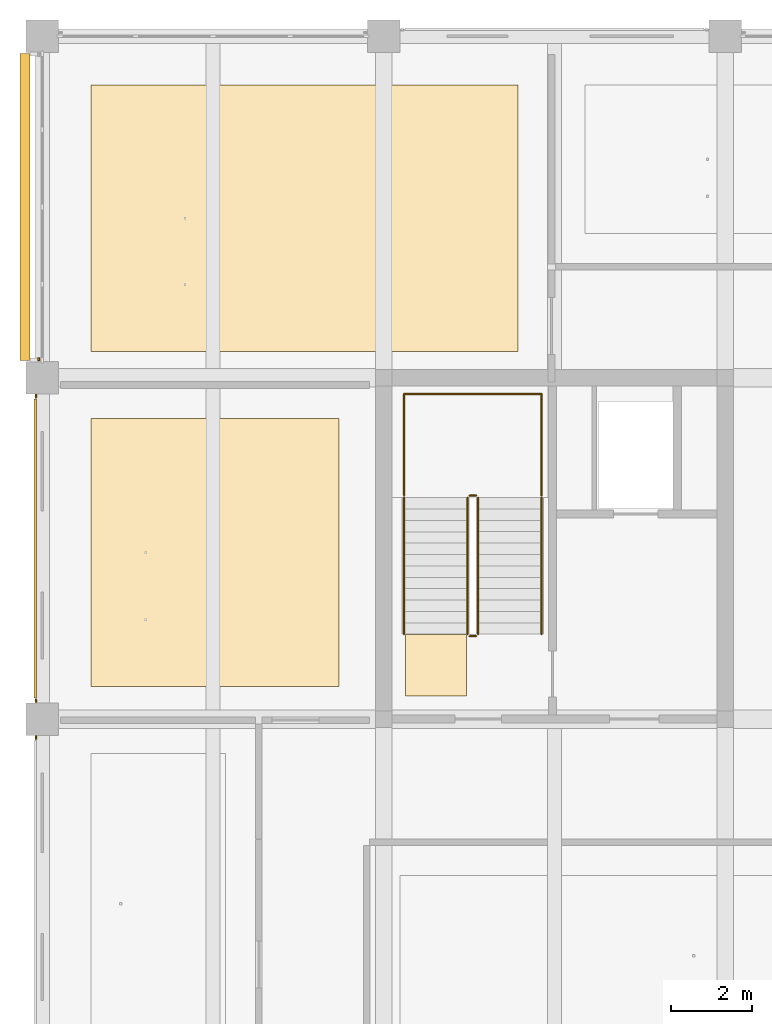
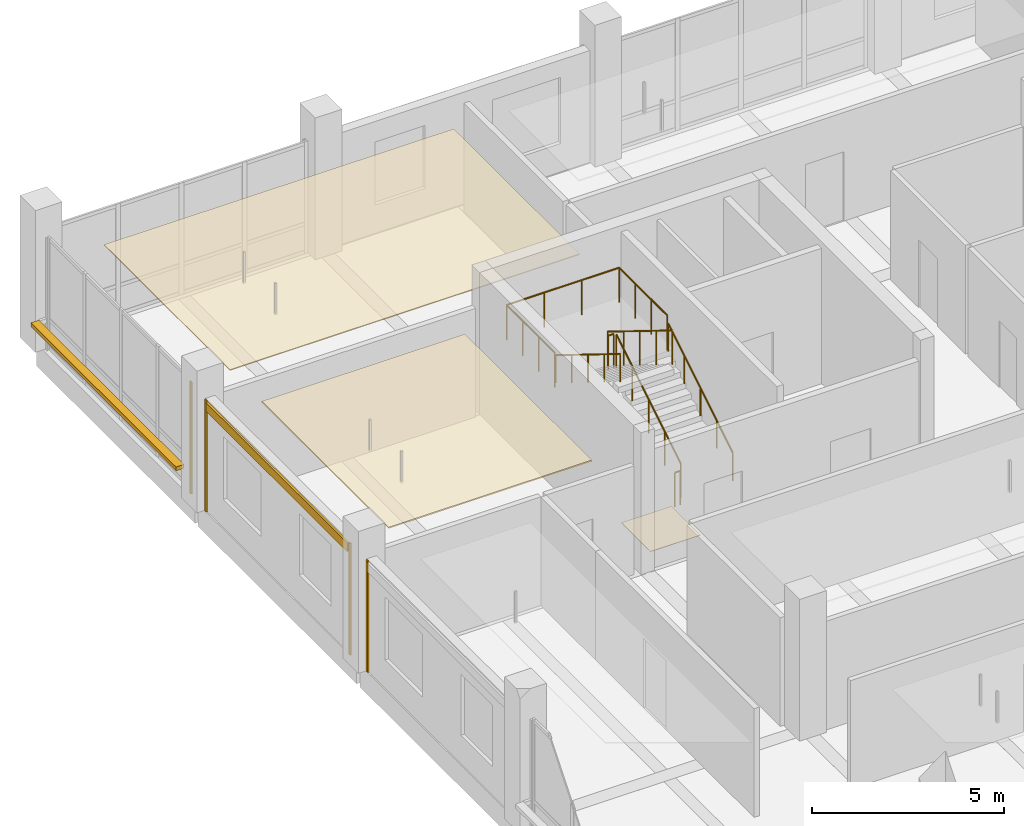
# One storey, part 26 of 34: 8 coverings, 7 railings, 1 shading device.
"""IFC4 building model written with IfcOpenShell, lengths in metres."""

import ifcopenshell
import ifcopenshell.guid

model = None  # the IFC model being written
_history = None  # IfcOwnerHistory: only IFC2X3 demands one
_inside = {}  # id of a spatial element -> (the spatial element, [elements in it])
_under = {}  # id of a project, library or spatial element -> (it, [spatial elements below it])
_declared = {}  # id of a project -> (the project, [libraries it declares])
_typed = {}  # id of a type object -> (the type object, [elements of that type])
_made_of = {}  # id of a material, layer set ... -> (it, [elements and type objects made of it])


def new_model(schema):
    """Start an empty IFC model of exactly this schema.

    Asked for "IFC4X3", IfcOpenShell would pick the latest addendum, in which some entities
    have other attributes; the version numbers below select the first issue.
    IFC2X3 requires an IfcOwnerHistory on every rooted entity: one is made here for all.
    """
    global model, _history
    if schema == "IFC4X3":
        model = ifcopenshell.file(schema_version=(4, 3, 0, 0))
    else:
        model = ifcopenshell.file(schema=schema)
    _inside.clear()
    _under.clear()
    _declared.clear()
    _typed.clear()
    _made_of.clear()
    _history = None
    if model.schema == "IFC2X3":
        org = make("IfcOrganization", Name="unknown")
        user = make(
            "IfcPersonAndOrganization",
            ThePerson=make("IfcPerson", FamilyName="unknown"),
            TheOrganization=org,
        )
        app = make(
            "IfcApplication",
            ApplicationDeveloper=org,
            Version="unknown",
            ApplicationFullName="unknown",
            ApplicationIdentifier="unknown",
        )
        _history = make(
            "IfcOwnerHistory",
            OwningUser=user,
            OwningApplication=app,
            ChangeAction="ADDED",
            CreationDate=0,
        )
    return model


def make(cls, **values):
    """One entity of the class cls with the attributes given. An attribute that is None is left unset."""
    return model.create_entity(
        cls, **{name: value for name, value in values.items() if value is not None}
    )


def rooted(cls, **values):
    """An entity with a GlobalId (a new one), such as an element, a storey or a relation."""
    return make(cls, GlobalId=ifcopenshell.guid.new(), OwnerHistory=_history, **values)


def si_unit(unit_type, name, prefix=None):
    """IfcSIUnit, for example si_unit("LENGTHUNIT", "METRE", prefix="MILLI")."""
    return make("IfcSIUnit", UnitType=unit_type, Prefix=prefix, Name=name)


def assignment(units):
    """IfcUnitAssignment: the units of a project."""
    return None if units is None else make("IfcUnitAssignment", Units=units)


def point(xyz):
    """IfcCartesianPoint."""
    return None if xyz is None else make("IfcCartesianPoint", Coordinates=xyz)


def direction(xyz):
    """IfcDirection."""
    return None if xyz is None else make("IfcDirection", DirectionRatios=xyz)


def frame(location, z_axis=None, x_axis=None):
    """IfcAxis2Placement3D, a coordinate frame: its origin and axes. An axis left out is left unset."""
    return make(
        "IfcAxis2Placement3D",
        Location=point(location),
        Axis=direction(z_axis),
        RefDirection=direction(x_axis),
    )


def frame_2d(location, x_axis=None):
    """IfcAxis2Placement2D, a coordinate frame in the plane: its origin and x axis."""
    return make(
        "IfcAxis2Placement2D", Location=point(location), RefDirection=direction(x_axis)
    )


def origin():
    """The frame at (0, 0, 0) with its axes left unset."""
    return frame((0.0, 0.0, 0.0))


def origin_2d():
    """The frame at (0, 0) in the plane with its x axis left unset."""
    return frame_2d((0.0, 0.0))


def place(relative_to, where):
    """IfcLocalPlacement: puts the frame where relative to a parent placement (None: the world)."""
    return make(
        "IfcLocalPlacement", PlacementRelTo=relative_to, RelativePlacement=where
    )


def context(
    kind, dimensions, precision=None, world=None, true_north=None, identifier=None
):
    """IfcGeometricRepresentationContext, for example the 3D "Model" context."""
    return make(
        "IfcGeometricRepresentationContext",
        ContextIdentifier=identifier,
        ContextType=kind,
        CoordinateSpaceDimension=dimensions,
        Precision=precision,
        WorldCoordinateSystem=world,
        TrueNorth=true_north,
    )


def subcontext(parent, identifier, kind, view, scale=None):
    """IfcGeometricRepresentationSubContext, for example "Body" below "Model"."""
    return make(
        "IfcGeometricRepresentationSubContext",
        ContextIdentifier=identifier,
        ContextType=kind,
        ParentContext=parent,
        TargetScale=scale,
        TargetView=view,
    )


def project(units=None, contexts=None):
    """IfcProject with its units and contexts."""
    return rooted(
        "IfcProject",
        Name="project",
        RepresentationContexts=contexts,
        UnitsInContext=assignment(units),
    )


def spatial(cls, under=None, at=None, **own):
    """A site, building, storey or space (cls), placed at a placement, below another one or the project."""
    s = rooted(cls, ObjectPlacement=at, **own)
    if under is not None:
        _under.setdefault(under.id(), (under, []))[1].append(s)
    return s


def polyline(points):
    """IfcPolyline through the points."""
    return make("IfcPolyline", Points=[point(p) for p in points])


def profile(cls, at=None, kind="AREA", **sizes):
    """A parametric profile (cls). Its sizes go by their IFC names, for example OverallWidth=200.0."""
    return make(cls, ProfileType=kind, Position=at, **sizes)


def rectangle(**sizes):
    """IfcRectangleProfileDef."""
    return profile("IfcRectangleProfileDef", **sizes)


def circle(**sizes):
    """IfcCircleProfileDef."""
    return profile("IfcCircleProfileDef", **sizes)


def outline(outer, holes=None, kind="AREA"):
    """IfcArbitraryClosedProfileDef: a profile drawn as a closed curve; with holes, ...WithVoids."""
    if holes is None:
        return make("IfcArbitraryClosedProfileDef", ProfileType=kind, OuterCurve=outer)
    return make(
        "IfcArbitraryProfileDefWithVoids",
        ProfileType=kind,
        OuterCurve=outer,
        InnerCurves=holes,
    )


def extrude(swept, where, along, depth):
    """IfcExtrudedAreaSolid: the profile swept, set in the frame where, extruded along a direction by depth."""
    return make(
        "IfcExtrudedAreaSolid",
        SweptArea=swept,
        Position=where,
        ExtrudedDirection=direction(along),
        Depth=depth,
    )


def shape(context_of_items, identifier, shape_type, items):
    """IfcShapeRepresentation: the items that make up one representation, for example the "Body"."""
    return make(
        "IfcShapeRepresentation",
        ContextOfItems=context_of_items,
        RepresentationIdentifier=identifier,
        RepresentationType=shape_type,
        Items=items,
    )


def material(Name=None, Category=None):
    """IfcMaterial."""
    return make("IfcMaterial", Name=Name, Category=Category)


def layer(
    of_material, thickness, ventilated=None, Name=None, Category=None, Priority=None
):
    """IfcMaterialLayer: one layer of a wall or slab, of a material (None: an air gap)."""
    return make(
        "IfcMaterialLayer",
        Material=of_material,
        LayerThickness=thickness,
        IsVentilated=ventilated,
        Name=Name,
        Category=Category,
        Priority=Priority,
    )


def layer_set(layers, Name=None):
    """IfcMaterialLayerSet."""
    return make("IfcMaterialLayerSet", MaterialLayers=layers, LayerSetName=Name)


def made_of(thing, what):
    """Note that an element or type object is made of a material, layer set ...; save() writes the relation."""
    if what is not None:
        _made_of.setdefault(what.id(), (what, []))[1].append(thing)
    return thing


def type_object(cls, material=None, **own):
    """A type object (cls), such as IfcWallType, which elements share."""
    return made_of(rooted(cls, **own), material)


def element(
    cls,
    number,
    at=None,
    inside=None,
    cuts=None,
    type_object=None,
    material=None,
    context=None,
    identifier="Body",
    shape_type=None,
    held_by="IfcProductDefinitionShape",
    body=None,
    shapes=None,
    **own,
):
    """One element of the class cls, such as IfcWall. Its Tag is "e" and its number.

    at: its placement. inside: the storey or other place that contains it. cuts: it is an
    opening in that element (IfcRelVoidsElement). A single representation is given by context,
    identifier, shape_type and body (its items); several are given by shapes. held_by: the class
    of the entity that holds the representations. save() writes the other relations.
    """
    e = rooted(cls, Tag="e%d" % number, ObjectPlacement=at, **own)
    if body is not None:
        shapes = [shape(context, identifier, shape_type, body)]
    if shapes is not None:
        e.Representation = make(held_by, Representations=shapes)
    if inside is not None:
        _inside.setdefault(inside.id(), (inside, []))[1].append(e)
    if cuts is not None:
        rooted(
            "IfcRelVoidsElement", RelatingBuildingElement=cuts, RelatedOpeningElement=e
        )
    if type_object is not None:
        _typed.setdefault(type_object.id(), (type_object, []))[1].append(e)
    return made_of(e, material)


def aggregate(whole, parts):
    """IfcRelAggregates: a whole, such as a stair, and the parts it consists of."""
    return rooted("IfcRelAggregates", RelatingObject=whole, RelatedObjects=parts)


def save(model, path):
    """Write the relations noted so far, then the file.

    IfcRelAggregates (storeys below a building ...), IfcRelContainedInSpatialStructure (elements
    in a storey), IfcRelDefinesByType, IfcRelAssociatesMaterial and IfcRelDeclares: one each for
    every whole, place, type object, material and project.
    """
    for whole, parts in _under.values():
        aggregate(whole, parts)
    for where, things in _inside.values():
        rooted(
            "IfcRelContainedInSpatialStructure",
            RelatedElements=things,
            RelatingStructure=where,
        )
    for kind, things in _typed.values():
        rooted("IfcRelDefinesByType", RelatedObjects=things, RelatingType=kind)
    for what, things in _made_of.values():
        rooted("IfcRelAssociatesMaterial", RelatedObjects=things, RelatingMaterial=what)
    for by, libraries in _declared.values():
        rooted("IfcRelDeclares", RelatingContext=by, RelatedDefinitions=libraries)
    model.write(path)


model = new_model("IFC4")

# Units and contexts
model_context = context("Model", 3, precision=1e-05, world=origin(), true_north=direction((0.0, 1.0)))
body_context = subcontext(model_context, "Body", "Model", "MODEL_VIEW")
ifc_project = project(units=[si_unit("LENGTHUNIT", "METRE"), si_unit("AREAUNIT", "SQUARE_METRE"), si_unit("VOLUMEUNIT", "CUBIC_METRE"), si_unit("PLANEANGLEUNIT", "RADIAN"), si_unit("MASSUNIT", "GRAM", prefix="KILO")], contexts=[model_context])

# Site, building, storey
site_placement = place(None, origin())
site = spatial("IfcSite", under=ifc_project, at=site_placement, CompositionType="ELEMENT")
building_placement = place(site_placement, origin())
building = spatial("IfcBuilding", under=site, at=building_placement, Name="Telukmera Botanical Conservatory", CompositionType="ELEMENT")
storey_placement = place(building_placement, frame((0.0, 0.0, 37.5)))
storey = spatial("IfcBuildingStorey", under=building, at=storey_placement, Name="L08", CompositionType="ELEMENT", Elevation=37.5)

# Coverings
ifc_material_1 = material(Name="Mineral fibre acoustic ceiling")
ifc_layer_1 = layer(ifc_material_1, 0.030029296875)
ifc_layer_set_1 = layer_set([ifc_layer_1], Name="Mineral fibre acoustic ceiling")
covering_type_1 = type_object("IfcCoveringType", Name="COV-CEIL-30", PredefinedType="CEILING", material=ifc_layer_set_1)
covering_1_placement = place(storey_placement, frame((0.0, 0.0, 3.320068359375)))
element("IfcCovering", 1, at=covering_1_placement, inside=storey, type_object=covering_type_1, Name="L08 Plant Physiology Research Laboratory Suspended Acoustic Ceiling", PredefinedType="CEILING", context=body_context, shape_type="SweptSolid", body=[
    extrude(outline(polyline([(51.60009765625, 35.050048828125), (62.10009765625, 35.050048828125), (62.10009765625, 41.60009765625), (51.60009765625, 41.60009765625), (51.60009765625, 35.050048828125)])), origin(), (0.0, 0.0, 1.0), 0.030029296875),
])
ifc_material_2 = material(Name="Perforated gypsum acoustic ceiling")
ifc_layer_2 = layer(ifc_material_2, 0.0400390625)
ifc_layer_set_2 = layer_set([ifc_layer_2], Name="Perforated gypsum acoustic ceiling")
covering_type_2 = type_object("IfcCoveringType", Name="COV-CEIL-40", PredefinedType="CEILING", material=ifc_layer_set_2)
covering_2_placement = place(storey_placement, frame((0.0, 0.0, 3.31005859375)))
element("IfcCovering", 2, at=covering_2_placement, inside=storey, type_object=covering_type_2, Name="L08 Genomics Sequencing Laboratory Suspended Acoustic Ceiling", PredefinedType="CEILING", context=body_context, shape_type="SweptSolid", body=[
    extrude(outline(polyline([(51.60009765625, 26.800048828125), (57.699951171875, 26.800048828125), (57.699951171875, 33.39990234375), (51.60009765625, 33.39990234375), (51.60009765625, 26.800048828125)])), origin(), (0.0, 0.0, 1.0), 0.0400390625),
])
ifc_material_3 = material(Name="Honed granite non-slip flooring", Category="masonry")
ifc_layer_3 = layer(ifc_material_3, 0.011962890625)
ifc_layer_set_3 = layer_set([ifc_layer_3], Name="Honed granite non-slip flooring")
covering_type_3 = type_object("IfcCoveringType", Name="COV-FLR-12", PredefinedType="FLOORING", material=ifc_layer_set_3)
covering_3_placement = place(storey_placement, origin())
element("IfcCovering", 3, at=covering_3_placement, inside=storey, type_object=covering_type_3, Name="L08 ST1 Non-Slip Stair Landing Finish", PredefinedType="FLOORING", context=body_context, shape_type="SweptSolid", body=[
    extrude(outline(polyline([(60.830078125, 26.570068359375), (60.830078125, 28.0849609375), (59.330078125, 28.0849609375), (59.330078125, 26.570068359375), (60.830078125, 26.570068359375)])), origin(), (0.0, 0.0, 1.0), 0.011962890625),
])
ifc_material_4 = material(Name="Granite-faced precast concrete C40/50", Category="masonry")
ifc_layer_4 = layer(ifc_material_4, 0.0400390625)
ifc_layer_set_4 = layer_set([ifc_layer_4], Name="Granite-faced precast concrete C40/50")
covering_type_4 = type_object("IfcCoveringType", Name="Granite Precast Column Pier Reveal Casing", PredefinedType="CLADDING", material=ifc_layer_set_4)
for number, where, z_axis, x_axis, name in (
    (4, (50.239990234375, 25.548095703125, 0.0), (0.0, 0.0, 1.0), (0.0, 1.0, 0.0), "Granite Pier Reveal V4:L08:W2 R"),
    (5, (50.239990234375, 26.451904296875, 0.0), (0.0, 0.0, 1.0), (0.0, 1.0, 0.0), "Granite Pier Reveal V4:L08:W3 L"),
    (6, (50.239990234375, 33.947998046875, 0.0), (0.0, 0.0, 1.0), (0.0, 1.0, 0.0), "Granite Pier Reveal V4:L08:W3 R"),
    (7, (50.31005859375, 34.85205078125, 0.0), (0.0, 0.0, 1.0), (0.0, 1.0, 0.0), "Granite Pier Reveal V4:L08:W4 L"),
):
    element("IfcCovering", number, at=place(storey_placement, frame(where, z_axis=z_axis, x_axis=x_axis)), inside=storey, type_object=covering_type_4, Name=name, PredefinedType="CLADDING", context=body_context, shape_type="SweptSolid", body=[
        extrude(rectangle(XDim=0.080078125, YDim=0.0400390625, at=origin_2d()), origin(), (0.0, 0.0, 1.0), 3.550048828125),
    ])

# Shading device
ifc_material_5 = material(Name="Perforated terracotta-anodised aluminium 6063-T6", Category="masonry")
ifc_layer_5 = layer(ifc_material_5, 0.044921875)
ifc_layer_set_5 = layer_set([ifc_layer_5], Name="Perforated terracotta-anodised aluminium 6063-T6")
shading_device_type = type_object("IfcShadingDeviceType", Name="Perforated Terracotta Aluminium Monsoon Brise Soleil", PredefinedType="JALOUSIE", material=ifc_layer_set_5)
shading_device_placement = place(storey_placement, frame((49.969970703125, 38.60009765625, 0.889892578125), z_axis=(0.0, 0.0, 1.0), x_axis=(0.0, 1.0, 0.0)))
element("IfcShadingDevice", 8, at=shading_device_placement, inside=storey, type_object=shading_device_type, Name="Monsoon Shading BS01 V4:L08:W4", PredefinedType="JALOUSIE", context=body_context, shape_type="SweptSolid", body=[
    extrude(rectangle(XDim=7.555908203125, YDim=0.239990234375, at=origin_2d()), origin(), (0.0, 0.0, 1.0), 0.1201171875),
])

# Covering
ifc_material_6 = material(Name="Terracotta-faced precast concrete C40/50", Category="masonry")
ifc_layer_6 = layer(ifc_material_6, 0.06005859375)
ifc_layer_set_6 = layer_set([ifc_layer_6], Name="Terracotta-faced precast concrete C40/50")
covering_type_5 = type_object("IfcCoveringType", Name="Polychrome Terracotta Facade Band Cladding", PredefinedType="CLADDING", material=ifc_layer_set_6)
covering_4_placement = place(storey_placement, frame((50.22998046875, 30.199951171875, 3.22998046875), z_axis=(0.0, 0.0, 1.0), x_axis=(0.0, 1.0, 0.0)))
element("IfcCovering", 9, at=covering_4_placement, inside=storey, type_object=covering_type_5, Name="Polychrome Terracotta Band V4:L08:W3", PredefinedType="CLADDING", context=body_context, shape_type="SweptSolid", body=[
    extrude(rectangle(XDim=7.35595703125, YDim=0.06005859375, at=origin_2d()), origin(), (0.0, 0.0, 1.0), 0.280029296875),
])

# Railings
ifc_material_7 = material(Name="Steel S355", Category="steel")
railing_type_1 = type_object("IfcRailingType", Name="RL-GUARD-1100", PredefinedType="GUARDRAIL", material=ifc_material_7)
railing_1_placement = place(storey_placement, frame((61.1201171875, 28.090087890625, 0.173095703125)))
element("IfcRailing", 10, at=railing_1_placement, inside=storey, type_object=railing_type_1, Name="L08 ST1 stair guard 1", PredefinedType="GUARDRAIL", context=body_context, shape_type="SweptSolid", body=[
    extrude(circle(Radius=0.02392578125, at=origin_2d()), frame((0.0, 0.0, 1.076171875), z_axis=(0.0, 0.850606129759, 0.525803396734), x_axis=(-1.0, 0.0, 0.0)), (0.0, 0.0, 1.0), 3.949951171875),
    extrude(circle(Radius=0.02099609375, at=origin_2d()), origin(), (0.0, 0.0, 1.0), 1.052001953125),
    extrude(circle(Radius=0.02099609375, at=origin_2d()), frame((0.0, 0.83984375, 0.519287109375)), (0.0, 0.0, 1.0), 1.052001953125),
    extrude(circle(Radius=0.02099609375, at=origin_2d()), frame((0.0, 1.679931640625, 1.03857421875)), (0.0, 0.0, 1.0), 1.052001953125),
    extrude(circle(Radius=0.02099609375, at=origin_2d()), frame((0.0, 2.52001953125, 1.5576171875)), (0.0, 0.0, 1.0), 1.052001953125),
    extrude(circle(Radius=0.02099609375, at=origin_2d()), frame((0.0, 3.35986328125, 2.076904296875)), (0.0, 0.0, 1.0), 1.052001953125),
])
railing_2_placement = place(storey_placement, frame((61.070068359375, 31.5, 2.25)))
element("IfcRailing", 11, at=railing_2_placement, inside=storey, type_object=railing_type_1, Name="L08 ST1 stair guard 2", PredefinedType="GUARDRAIL", context=body_context, shape_type="SweptSolid", body=[
    extrude(circle(Radius=0.02392578125, at=origin_2d()), frame((0.0, 0.0, 1.076171875), z_axis=(-1.0, 0.0, 0.0), x_axis=(0.0, -1.0, 0.0)), (0.0, 0.0, 1.0), 0.16015625),
    extrude(circle(Radius=0.02099609375, at=origin_2d()), origin(), (0.0, 0.0, 1.0), 1.052001953125),
    extrude(circle(Radius=0.02099609375, at=origin_2d()), frame((-0.16015625, 0.0, 0.0)), (0.0, 0.0, 1.0), 1.052001953125),
])
railing_3_placement = place(storey_placement, frame((60.860107421875, 31.449951171875, 2.423095703125)))
element("IfcRailing", 12, at=railing_3_placement, inside=storey, type_object=railing_type_1, Name="L08 ST1 stair guard 3", PredefinedType="GUARDRAIL", context=body_context, shape_type="SweptSolid", body=[
    extrude(circle(Radius=0.02392578125, at=origin_2d()), frame((0.0, 0.0, 1.076171875), z_axis=(0.0, -0.850606129759, 0.525803396734), x_axis=(1.0, 0.0, 0.0)), (0.0, 0.0, 1.0), 3.949951171875),
    extrude(circle(Radius=0.02099609375, at=origin_2d()), origin(), (0.0, 0.0, 1.0), 1.052001953125),
    extrude(circle(Radius=0.02099609375, at=origin_2d()), frame((0.0, -0.83984375, 0.519287109375)), (0.0, 0.0, 1.0), 1.052001953125),
    extrude(circle(Radius=0.02099609375, at=origin_2d()), frame((0.0, -1.679931640625, 1.03857421875)), (0.0, 0.0, 1.0), 1.052001953125),
    extrude(circle(Radius=0.02099609375, at=origin_2d()), frame((0.0, -2.52001953125, 1.5576171875)), (0.0, 0.0, 1.0), 1.052001953125),
    extrude(circle(Radius=0.02099609375, at=origin_2d()), frame((0.0, -3.35986328125, 2.076904296875)), (0.0, 0.0, 1.0), 1.052001953125),
])
railing_4_placement = place(storey_placement, frame((61.070068359375, 28.0400390625, 0.0)))
element("IfcRailing", 13, at=railing_4_placement, inside=storey, type_object=railing_type_1, Name="L08 ST1 stair guard 4", PredefinedType="GUARDRAIL", context=body_context, shape_type="SweptSolid", body=[
    extrude(circle(Radius=0.02392578125, at=origin_2d()), frame((0.0, 0.0, 1.076171875), z_axis=(-1.0, 0.0, 0.0), x_axis=(0.0, -1.0, 0.0)), (0.0, 0.0, 1.0), 0.16015625),
    extrude(circle(Radius=0.02099609375, at=origin_2d()), origin(), (0.0, 0.0, 1.0), 1.052001953125),
    extrude(circle(Radius=0.02099609375, at=origin_2d()), frame((-0.16015625, 0.0, 0.0)), (0.0, 0.0, 1.0), 1.052001953125),
])
railing_5_placement = place(storey_placement, frame((62.679931640625, 31.5, 2.25)))
element("IfcRailing", 14, at=railing_5_placement, inside=storey, type_object=railing_type_1, Name="L08 ST1 half-landing perimeter guard 1", PredefinedType="GUARDRAIL", context=body_context, shape_type="SweptSolid", body=[
    extrude(circle(Radius=0.02392578125, at=origin_2d()), frame((0.0, 0.0, 1.09619140625), z_axis=(0.0, 1.0, 0.0), x_axis=(-1.0, 0.0, 0.0)), (0.0, 0.0, 1.0), 2.5),
    extrude(circle(Radius=0.02392578125, at=origin_2d()), frame((0.0, 2.5, 1.09619140625), z_axis=(-1.0, 0.0, 0.0), x_axis=(0.0, -1.0, 0.0)), (0.0, 0.0, 1.0), 3.3798828125),
    extrude(circle(Radius=0.02392578125, at=origin_2d()), frame((-3.3798828125, 2.5, 1.09619140625), z_axis=(0.0, -1.0, 0.0), x_axis=(1.0, 0.0, 0.0)), (0.0, 0.0, 1.0), 2.5),
    extrude(circle(Radius=0.02099609375, at=origin_2d()), origin(), (0.0, 0.0, 1.0), 1.072021484375),
    extrude(circle(Radius=0.02099609375, at=origin_2d()), frame((0.0, 0.833251953125, 0.0)), (0.0, 0.0, 1.0), 1.072021484375),
    extrude(circle(Radius=0.02099609375, at=origin_2d()), frame((0.0, 1.666748046875, 0.0)), (0.0, 0.0, 1.0), 1.072021484375),
    extrude(circle(Radius=0.02099609375, at=origin_2d()), frame((0.0, 2.5, 0.0)), (0.0, 0.0, 1.0), 1.072021484375),
    extrude(circle(Radius=0.02099609375, at=origin_2d()), frame((-1.126708984375, 2.5, 0.0)), (0.0, 0.0, 1.0), 1.072021484375),
    extrude(circle(Radius=0.02099609375, at=origin_2d()), frame((-2.253173828125, 2.5, 0.0)), (0.0, 0.0, 1.0), 1.072021484375),
    extrude(circle(Radius=0.02099609375, at=origin_2d()), frame((-3.3798828125, 2.5, 0.0)), (0.0, 0.0, 1.0), 1.072021484375),
    extrude(circle(Radius=0.02099609375, at=origin_2d()), frame((-3.3798828125, 1.666748046875, 0.0)), (0.0, 0.0, 1.0), 1.072021484375),
    extrude(circle(Radius=0.02099609375, at=origin_2d()), frame((-3.3798828125, 0.833251953125, 0.0)), (0.0, 0.0, 1.0), 1.072021484375),
    extrude(circle(Radius=0.02099609375, at=origin_2d()), frame((-3.3798828125, 0.0, 0.0)), (0.0, 0.0, 1.0), 1.072021484375),
])
ifc_material_8 = material(Name="Stainless steel 316", Category="steel")
railing_type_2 = type_object("IfcRailingType", Name="RL-HAND-900", PredefinedType="HANDRAIL", material=ifc_material_8)
railing_6_placement = place(storey_placement, frame((62.679931640625, 28.090087890625, 0.173095703125)))
element("IfcRailing", 15, at=railing_6_placement, inside=storey, type_object=railing_type_2, Name="L08 ST1 stair handrail 1", PredefinedType="HANDRAIL", context=body_context, shape_type="SweptSolid", body=[
    extrude(circle(Radius=0.02392578125, at=origin_2d()), frame((0.0, 0.0, 0.8759765625), z_axis=(0.0, 0.850606129759, 0.525803396734), x_axis=(-1.0, 0.0, 0.0)), (0.0, 0.0, 1.0), 3.949951171875),
    extrude(circle(Radius=0.02099609375, at=origin_2d()), origin(), (0.0, 0.0, 1.0), 0.851806640625),
    extrude(circle(Radius=0.02099609375, at=origin_2d()), frame((0.0, 0.83984375, 0.519287109375)), (0.0, 0.0, 1.0), 0.851806640625),
    extrude(circle(Radius=0.02099609375, at=origin_2d()), frame((0.0, 1.679931640625, 1.03857421875)), (0.0, 0.0, 1.0), 0.851806640625),
    extrude(circle(Radius=0.02099609375, at=origin_2d()), frame((0.0, 2.52001953125, 1.5576171875)), (0.0, 0.0, 1.0), 0.851806640625),
    extrude(circle(Radius=0.02099609375, at=origin_2d()), frame((0.0, 3.35986328125, 2.076904296875)), (0.0, 0.0, 1.0), 0.851806640625),
])
railing_7_placement = place(storey_placement, frame((59.300048828125, 31.449951171875, 2.423095703125)))
element("IfcRailing", 16, at=railing_7_placement, inside=storey, type_object=railing_type_2, Name="L08 ST1 stair handrail 2", PredefinedType="HANDRAIL", context=body_context, shape_type="SweptSolid", body=[
    extrude(circle(Radius=0.02392578125, at=origin_2d()), frame((0.0, 0.0, 0.8759765625), z_axis=(0.0, -0.850606129759, 0.525803396734), x_axis=(1.0, 0.0, 0.0)), (0.0, 0.0, 1.0), 3.949951171875),
    extrude(circle(Radius=0.02099609375, at=origin_2d()), origin(), (0.0, 0.0, 1.0), 0.851806640625),
    extrude(circle(Radius=0.02099609375, at=origin_2d()), frame((0.0, -0.83984375, 0.519287109375)), (0.0, 0.0, 1.0), 0.851806640625),
    extrude(circle(Radius=0.02099609375, at=origin_2d()), frame((0.0, -1.679931640625, 1.03857421875)), (0.0, 0.0, 1.0), 0.851806640625),
    extrude(circle(Radius=0.02099609375, at=origin_2d()), frame((0.0, -2.52001953125, 1.5576171875)), (0.0, 0.0, 1.0), 0.851806640625),
    extrude(circle(Radius=0.02099609375, at=origin_2d()), frame((0.0, -3.35986328125, 2.076904296875)), (0.0, 0.0, 1.0), 0.851806640625),
])

save(model, "model.ifc")
